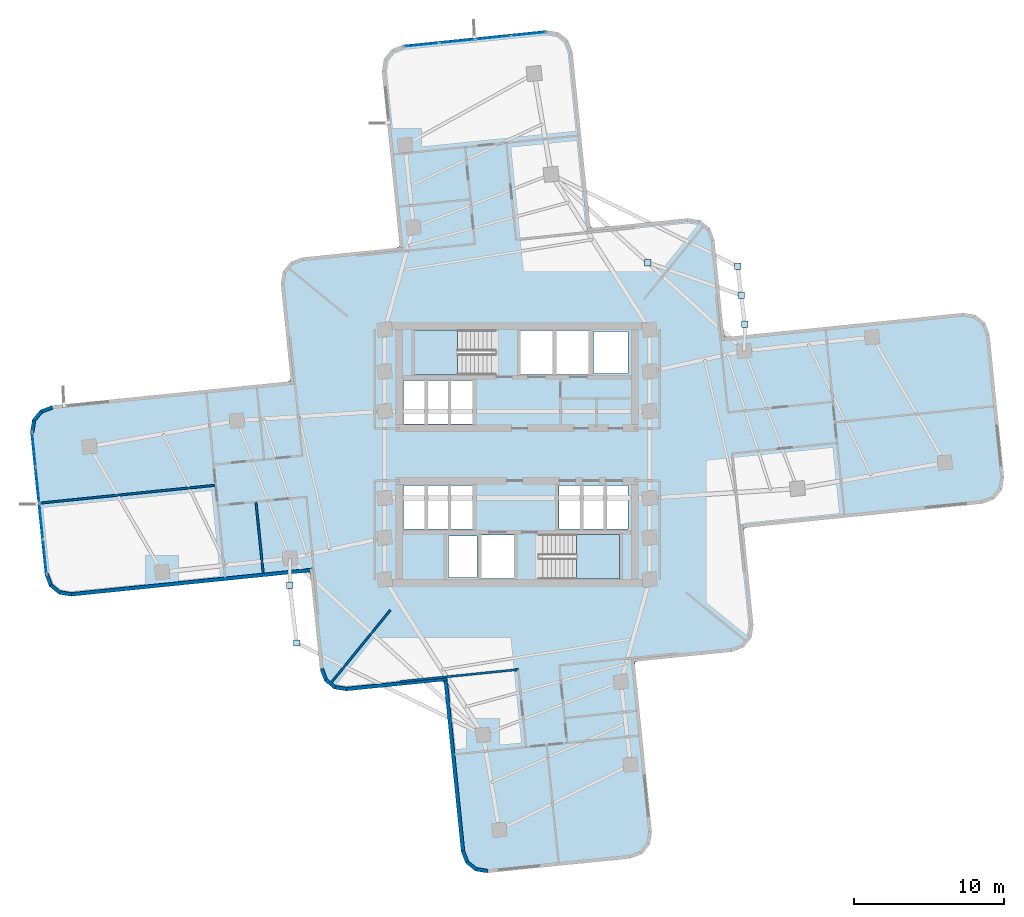
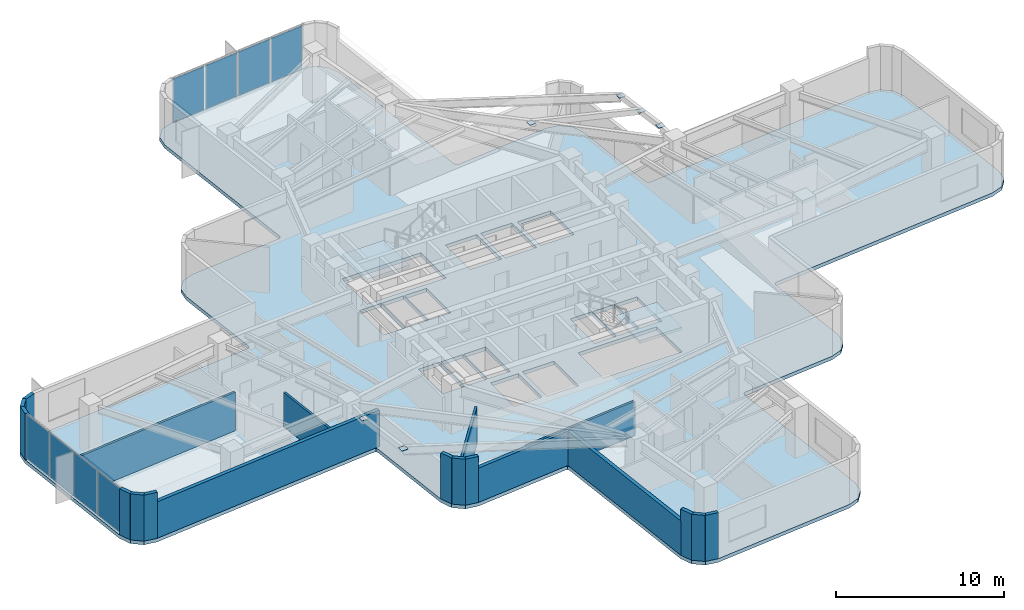
# One storey, part 5 of 12: 19 walls, 14 plates, 3 slabs, 4 elements without a shape of their own.
"""IFC4 building model written with IfcOpenShell, lengths in metres."""

from ifc_helpers import new_model, si_unit, direction, frame, frame_2d, origin, origin_2d, place, context, subcontext, project, spatial, polyline, rectangle, outline, extrude, material, layer, layer_set, type_object, element, aggregate, save


model = new_model("IFC4")

# Units and contexts
model_context = context("Model", 3, precision=1e-05, world=origin(), true_north=direction((0.0, 1.0)))
body_context = subcontext(model_context, "Body", "Model", "MODEL_VIEW")
ifc_project = project(units=[si_unit("LENGTHUNIT", "METRE"), si_unit("AREAUNIT", "SQUARE_METRE"), si_unit("VOLUMEUNIT", "CUBIC_METRE"), si_unit("PLANEANGLEUNIT", "RADIAN"), si_unit("MASSUNIT", "GRAM", prefix="KILO")], contexts=[model_context])

# Site, building, storey
site_placement = place(None, origin())
site = spatial("IfcSite", under=ifc_project, at=site_placement, CompositionType="ELEMENT")
building_placement = place(site_placement, origin())
building = spatial("IfcBuilding", under=site, at=building_placement, Name="Solmarez Civic Tower", CompositionType="ELEMENT")
storey_placement = place(building_placement, frame((0.0, 0.0, 74.8798828125)))
storey = spatial("IfcBuildingStorey", under=building, at=storey_placement, Name="L19", CompositionType="ELEMENT", Elevation=74.8798828125)

# Curtain wall, plates
ifc_material_1 = material(Name="Bronze Anodised Aluminium EN AW-6063 T6", Category="aluminium")
ifc_layer_1 = layer(ifc_material_1, 0.199951171875)
ifc_layer_set_1 = layer_set([ifc_layer_1], Name="Bronze Anodised Aluminium EN AW-6063 T6")
curtain_wall_type = type_object("IfcCurtainWallType", Name="CW-SYS-1", PredefinedType="NOTDEFINED", material=ifc_layer_set_1)
curtain_wall_1_placement = place(storey_placement, origin())
curtain_wall_1 = element("IfcCurtainWall", 1, at=curtain_wall_1_placement, inside=storey, type_object=curtain_wall_type, Name="L19 Stick-Built Curtain Wall 1", PredefinedType="NOTDEFINED")
ifc_material_2 = material(Name="Solar Control Low-E Laminated Vision Glass", Category="glass")
ifc_layer_2 = layer(ifc_material_2, 0.028076171875)
ifc_layer_set_2 = layer_set([ifc_layer_2], Name="Solar Control Low-E Laminated Vision Glass")
plate_type_1 = type_object("IfcPlateType", Name="CWP-GLAZ-28", PredefinedType="CURTAIN_PANEL", material=ifc_layer_set_2)
plate_1_placement = place(storey_placement, frame((-31.552490234375, -6.81201171875, 0.0703125), z_axis=(0.0, 0.0, 1.0), x_axis=(-0.101150430699, 0.994871142596, 0.0)))
plate_1 = element("IfcPlate", 2, at=plate_1_placement, type_object=plate_type_1, Name="CWS1 panel 1.1", PredefinedType="CURTAIN_PANEL", context=body_context, shape_type="SweptSolid", body=[
    extrude(rectangle(XDim=2.292236328125, YDim=0.028076171875, at=origin_2d()), origin(), (0.0, 0.0, 1.0), 3.199951171875),
])
plate_2_placement = place(storey_placement, frame((-31.7939453125, -4.438232421875, 0.0703125), z_axis=(0.0, 0.0, 1.0), x_axis=(-0.101150430699, 0.994871142596, 0.0)))
plate_2 = element("IfcPlate", 3, at=plate_2_placement, type_object=plate_type_1, Name="CWS1 panel 2.1", PredefinedType="CURTAIN_PANEL", context=body_context, shape_type="SweptSolid", body=[
    extrude(rectangle(XDim=2.329833984375, YDim=0.028076171875, at=origin_2d()), origin(), (0.0, 0.0, 1.0), 3.199951171875),
])
plate_3_placement = place(storey_placement, frame((-32.037109375, -2.045654296875, 0.0703125), z_axis=(0.0, 0.0, 1.0), x_axis=(-0.101150430699, 0.994871142596, 0.0)))
plate_3 = element("IfcPlate", 4, at=plate_3_placement, type_object=plate_type_1, Name="CWS1 panel 3.1", PredefinedType="CURTAIN_PANEL", context=body_context, shape_type="SweptSolid", body=[
    extrude(rectangle(XDim=2.329833984375, YDim=0.028076171875, at=origin_2d()), origin(), (0.0, 0.0, 1.0), 3.199951171875),
])
plate_4_placement = place(storey_placement, frame((-32.278564453125, 0.328125, 0.0703125), z_axis=(0.0, 0.0, 1.0), x_axis=(-0.101150430699, 0.994871142596, 0.0)))
plate_4 = element("IfcPlate", 5, at=plate_4_placement, type_object=plate_type_1, Name="CWS1 panel 4.1", PredefinedType="CURTAIN_PANEL", context=body_context, shape_type="SweptSolid", body=[
    extrude(rectangle(XDim=2.292236328125, YDim=0.028076171875, at=origin_2d()), origin(), (0.0, 0.0, 1.0), 3.199951171875),
])
aggregate(curtain_wall_1, [plate_1, plate_2, plate_3, plate_4])

curtain_wall_2_placement = place(storey_placement, origin())
curtain_wall_2 = element("IfcCurtainWall", 6, at=curtain_wall_2_placement, inside=storey, type_object=curtain_wall_type, Name="L19 Stick-Built Curtain Wall 2", PredefinedType="NOTDEFINED")
plate_5_placement = place(storey_placement, frame((-6.38720703125, 27.37451171875, 0.0703125), z_axis=(0.0, 0.0, 1.0), x_axis=(0.994870078801, 0.101160893168, 0.0)))
plate_5 = element("IfcPlate", 7, at=plate_5_placement, type_object=plate_type_1, Name="CWS1 panel 1.1", PredefinedType="CURTAIN_PANEL", context=body_context, shape_type="SweptSolid", body=[
    extrude(rectangle(XDim=2.2919921875, YDim=0.028076171875, at=origin_2d()), origin(), (0.0, 0.0, 1.0), 3.199951171875),
])
plate_6_placement = place(storey_placement, frame((-4.013671875, 27.615966796875, 0.0703125), z_axis=(0.0, 0.0, 1.0), x_axis=(0.994870078801, 0.101160893168, 0.0)))
plate_6 = element("IfcPlate", 8, at=plate_6_placement, type_object=plate_type_1, Name="CWS1 panel 2.1", PredefinedType="CURTAIN_PANEL", context=body_context, shape_type="SweptSolid", body=[
    extrude(rectangle(XDim=2.32958984375, YDim=0.028076171875, at=origin_2d()), origin(), (0.0, 0.0, 1.0), 3.199951171875),
])
plate_7_placement = place(storey_placement, frame((-1.621337890625, 27.859130859375, 0.0703125), z_axis=(0.0, 0.0, 1.0), x_axis=(0.994870078801, 0.101160893168, 0.0)))
plate_7 = element("IfcPlate", 9, at=plate_7_placement, type_object=plate_type_1, Name="CWS1 panel 3.1", PredefinedType="CURTAIN_PANEL", context=body_context, shape_type="SweptSolid", body=[
    extrude(rectangle(XDim=2.32958984375, YDim=0.028076171875, at=origin_2d()), origin(), (0.0, 0.0, 1.0), 3.199951171875),
])
plate_8_placement = place(storey_placement, frame((0.752197265625, 28.1005859375, 0.0703125), z_axis=(0.0, 0.0, 1.0), x_axis=(0.994870078801, 0.101160893168, 0.0)))
plate_8 = element("IfcPlate", 10, at=plate_8_placement, type_object=plate_type_1, Name="CWS1 panel 4.1", PredefinedType="CURTAIN_PANEL", context=body_context, shape_type="SweptSolid", body=[
    extrude(rectangle(XDim=2.2919921875, YDim=0.028076171875, at=origin_2d()), origin(), (0.0, 0.0, 1.0), 3.199951171875),
])
aggregate(curtain_wall_2, [plate_5, plate_6, plate_7, plate_8])

# Plates
ifc_material_3 = material(Name="Steel S355", Category="steel")
ifc_layer_3 = layer(ifc_material_3, 0.02392578125)
ifc_layer_set_3 = layer_set([ifc_layer_3], Name="Steel S355")
plate_type_2 = type_object("IfcPlateType", Name="PLT-CAP-380", PredefinedType="USERDEFINED", material=ifc_layer_set_3)
for number, where, z_axis, x_axis, name in (
    (11, (15.200927734375, 8.718017578125, 3.128173828125), (0.0, 0.0, 1.0), (1.0, 0.0, 0.0), "Steel Member End Cap Plate CAP-BM-L19-BALC-NEE-0"),
    (12, (14.72607421875, 12.587890625, 3.128173828125), (0.0, 0.0, 1.0), (1.0, 0.0, 0.0), "Steel Member End Cap Plate CAP-BM-L19-BALC-NEE-1"),
    (13, (8.722900390625, 12.824951171875, 3.128173828125), (0.0, 0.0, 1.0), (1.0, 0.0, 0.0), "Steel Member End Cap Plate CAP-BM-L19-BALC-NEM-0"),
    (14, (14.962890625, 10.653076171875, 3.128173828125), (0.0, 0.0, 1.0), (1.0, 0.0, 0.0), "Steel Member End Cap Plate CAP-BM-L19-BALC-NEM-1"),
    (15, (-15.200927734375, -8.718017578125, 3.128173828125), (0.0, 0.0, 1.0), (1.0, 0.0, 0.0), "Steel Member End Cap Plate CAP-BM-L19-BALC-SWE-0"),
    (16, (-14.72607421875, -12.587890625, 3.128173828125), (0.0, 0.0, 1.0), (1.0, 0.0, 0.0), "Steel Member End Cap Plate CAP-BM-L19-BALC-SWE-1"),
):
    element("IfcPlate", number, at=place(storey_placement, frame(where, z_axis=z_axis, x_axis=x_axis)), inside=storey, type_object=plate_type_2, Name=name, ObjectType="CAP_PLATE", PredefinedType="USERDEFINED", context=body_context, shape_type="SweptSolid", body=[
        extrude(rectangle(XDim=0.419921875, YDim=0.419921875, at=origin_2d()), origin(), (0.0, 0.0, 1.0), 0.02392578125),
    ])

# Stair, slab
ifc_material_4 = material(Name="Concrete C50/60", Category="concrete")
stair_type = type_object("IfcStairType", Name="STAIR-DOGLEG-140W-20R-1800", PredefinedType="HALF_TURN_STAIR", material=ifc_material_4)
stair_1_placement = place(storey_placement, origin())
stair_1 = element("IfcStair", 17, at=stair_1_placement, inside=storey, type_object=stair_type, Name="L19 North Core Protected Exit Stair ST-1", PredefinedType="HALF_TURN_STAIR")
ifc_layer_4 = layer(ifc_material_4, 0.199951171875)
ifc_layer_set_4 = layer_set([ifc_layer_4], Name="Concrete C50/60")
slab_type_1 = type_object("IfcSlabType", Name="SLAB-LANDING-200", PredefinedType="LANDING", material=ifc_layer_set_4)
slab_1_placement = place(storey_placement, frame((0.0, 0.0, 1.60009765625)))
slab_1 = element("IfcSlab", 18, at=slab_1_placement, type_object=slab_type_1, Name="ST-1 landing 1", PredefinedType="LANDING", context=body_context, shape_type="SweptSolid", body=[
    extrude(outline(polyline([(-3.969970703125, 8.320068359375), (-6.85009765625, 8.320068359375), (-6.85009765625, 5.320068359375), (-3.969970703125, 5.320068359375), (-3.969970703125, 8.320068359375)])), origin(), (0.0, 0.0, 1.0), 0.199951171875),
])
aggregate(stair_1, [slab_1])

stair_2_placement = place(storey_placement, origin())
stair_2 = element("IfcStair", 19, at=stair_2_placement, inside=storey, type_object=stair_type, Name="L19 South Core Protected Exit Stair ST-2", PredefinedType="HALF_TURN_STAIR")
slab_2_placement = place(storey_placement, frame((0.0, 0.0, 1.60009765625)))
slab_2 = element("IfcSlab", 20, at=slab_2_placement, type_object=slab_type_1, Name="ST-2 landing 1", PredefinedType="LANDING", context=body_context, shape_type="SweptSolid", body=[
    extrude(outline(polyline([(3.969970703125, -8.320068359375), (6.85009765625, -8.320068359375), (6.85009765625, -5.320068359375), (3.969970703125, -5.320068359375), (3.969970703125, -8.320068359375)])), origin(), (0.0, 0.0, 1.0), 0.199951171875),
])
aggregate(stair_2, [slab_2])

# Slab
ifc_layer_5 = layer(ifc_material_4, 0.260009765625)
ifc_layer_set_5 = layer_set([ifc_layer_5], Name="Concrete C50/60")
slab_type_2 = type_object("IfcSlabType", Name="SLAB-TOWER-260", PredefinedType="FLOOR", material=ifc_layer_set_5)
slab_3_placement = place(storey_placement, frame((0.0, 0.0, -0.259765625)))
element("IfcSlab", 21, at=slab_3_placement, inside=storey, type_object=slab_type_2, Name="L19 Structural Slab", PredefinedType="FLOOR", context=body_context, shape_type="SweptSolid", body=[
    extrude(outline(polyline([(-13.806884765625, -8.047119140625), (-13.1669921875, -14.35400390625), (-12.873046875, -15.1279296875), (-12.23095703125, -15.652099609375), (-11.4130859375, -15.783935546875), (-5.10595703125, -15.14404296875), (-4.93701171875, -15.1708984375), (-4.8759765625, -15.33203125), (-3.739990234375, -26.513916015625), (-3.446044921875, -27.2880859375), (-2.803955078125, -27.81103515625), (-1.986083984375, -27.944091796875), (7.56494140625, -26.97412109375), (8.339111328125, -26.679931640625), (8.862060546875, -26.0380859375), (8.9951171875, -25.219970703125), (7.85888671875, -14.0380859375), (7.885986328125, -13.868896484375), (8.047119140625, -13.806884765625), (14.35400390625, -13.1669921875), (15.1279296875, -12.873046875), (15.652099609375, -12.23095703125), (15.783935546875, -11.4130859375), (15.14404296875, -5.10595703125), (15.1708984375, -4.93701171875), (15.33203125, -4.8759765625), (31.090087890625, -3.27490234375), (31.864013671875, -2.98095703125), (32.387939453125, -2.339111328125), (32.52001953125, -1.52099609375), (31.550048828125, 8.029052734375), (31.256103515625, 8.803955078125), (30.614013671875, 9.326904296875), (29.797119140625, 9.4599609375), (14.0380859375, 7.85888671875), (13.868896484375, 7.885986328125), (13.806884765625, 8.047119140625), (13.1669921875, 14.35400390625), (12.873046875, 15.1279296875), (12.23095703125, 15.652099609375), (11.4130859375, 15.783935546875), (5.10595703125, 15.14404296875), (4.93701171875, 15.1708984375), (4.8759765625, 15.33203125), (3.698974609375, 26.912109375), (3.405029296875, 27.68603515625), (2.762939453125, 28.208984375), (1.946044921875, 28.342041015625), (-7.60498046875, 27.3720703125), (-8.37890625, 27.076904296875), (-8.903076171875, 26.43603515625), (-9.034912109375, 25.617919921875), (-7.85888671875, 14.0380859375), (-7.885986328125, 13.868896484375), (-8.047119140625, 13.806884765625), (-14.35400390625, 13.1669921875), (-15.1279296875, 12.873046875), (-15.652099609375, 12.23095703125), (-15.783935546875, 11.4130859375), (-15.14404296875, 5.10595703125), (-15.1708984375, 4.93701171875), (-15.33203125, 4.8759765625), (-31.090087890625, 3.27490234375), (-31.864013671875, 2.98095703125), (-32.387939453125, 2.339111328125), (-32.52001953125, 1.52099609375), (-31.550048828125, -8.029052734375), (-31.256103515625, -8.803955078125), (-30.614013671875, -9.326904296875), (-29.797119140625, -9.4599609375), (-14.0380859375, -7.85888671875), (-13.868896484375, -7.885986328125), (-13.806884765625, -8.047119140625)]), holes=[polyline([(-1.449951171875, 8.320068359375), (-6.85009765625, 8.320068359375), (-6.85009765625, 5.320068359375), (-1.449951171875, 5.320068359375), (-1.449951171875, 8.320068359375)]), polyline([(1.449951171875, -8.320068359375), (6.85009765625, -8.320068359375), (6.85009765625, -5.320068359375), (1.449951171875, -5.320068359375), (1.449951171875, -8.320068359375)]), polyline([(0.219970703125, 5.360107421875), (2.3798828125, 5.360107421875), (2.3798828125, 8.280029296875), (0.219970703125, 8.280029296875), (0.219970703125, 5.360107421875)]), polyline([(2.6201171875, 5.360107421875), (4.780029296875, 5.360107421875), (4.780029296875, 8.280029296875), (2.6201171875, 8.280029296875), (2.6201171875, 5.360107421875)]), polyline([(-2.3798828125, -8.280029296875), (-0.219970703125, -8.280029296875), (-0.219970703125, -5.360107421875), (-2.3798828125, -5.360107421875), (-2.3798828125, -8.280029296875)]), polyline([(2.800048828125, -4.9599609375), (4.280029296875, -4.9599609375), (4.280029296875, -2.06005859375), (2.800048828125, -2.06005859375), (2.800048828125, -4.9599609375)]), polyline([(4.360107421875, -4.9599609375), (5.840087890625, -4.9599609375), (5.840087890625, -2.06005859375), (4.360107421875, -2.06005859375), (4.360107421875, -4.9599609375)]), polyline([(5.919921875, -4.9599609375), (7.39990234375, -4.9599609375), (7.39990234375, -2.06005859375), (5.919921875, -2.06005859375), (5.919921875, -4.9599609375)]), polyline([(-7.60009765625, -4.9599609375), (-6.1201171875, -4.9599609375), (-6.1201171875, -2.06005859375), (-7.60009765625, -2.06005859375), (-7.60009765625, -4.9599609375)]), polyline([(-6.0400390625, -4.9599609375), (-4.56005859375, -4.9599609375), (-4.56005859375, -2.06005859375), (-6.0400390625, -2.06005859375), (-6.0400390625, -4.9599609375)]), polyline([(-4.47998046875, -4.9599609375), (-3.0, -4.9599609375), (-3.0, -2.06005859375), (-4.47998046875, -2.06005859375), (-4.47998046875, -4.9599609375)]), polyline([(-7.60009765625, 2.06005859375), (-6.1201171875, 2.06005859375), (-6.1201171875, 4.9599609375), (-7.60009765625, 4.9599609375), (-7.60009765625, 2.06005859375)]), polyline([(-6.0400390625, 2.06005859375), (-4.56005859375, 2.06005859375), (-4.56005859375, 4.9599609375), (-6.0400390625, 4.9599609375), (-6.0400390625, 2.06005859375)]), polyline([(-4.47998046875, 2.06005859375), (-3.0, 2.06005859375), (-3.0, 4.9599609375), (-4.47998046875, 4.9599609375), (-4.47998046875, 2.06005859375)]), polyline([(5.10009765625, 5.419921875), (7.39990234375, 5.419921875), (7.39990234375, 8.219970703125), (5.10009765625, 8.219970703125), (5.10009765625, 5.419921875)]), polyline([(-4.60009765625, -8.219970703125), (-2.699951171875, -8.219970703125), (-2.699951171875, -5.419921875), (-4.60009765625, -5.419921875), (-4.60009765625, -8.219970703125)])]), origin(), (0.0, 0.0, 1.0), 0.259765625),
])

# Walls
ifc_material_5 = material(Name="Precast concrete C40/50", Category="concrete")
ifc_layer_6 = layer(ifc_material_5, 0.239990234375)
ifc_layer_set_6 = layer_set([ifc_layer_6], Name="Precast concrete C40/50")
wall_type_1 = type_object("IfcWallType", Name="WALL-EXT-240", PredefinedType="SOLIDWALL", material=ifc_layer_set_6)
wall_1_placement = place(storey_placement, frame((-13.6259765625, -7.696044921875, 0.0), z_axis=(0.0, 0.0, 1.0), x_axis=(-0.994872930989, -0.101132839298, 0.0)))
element("IfcWall", 22, at=wall_1_placement, inside=storey, type_object=wall_type_1, Name="L19 Exterior Precast Wall 2", PredefinedType="SOLIDWALL", context=body_context, shape_type="SweptSolid", body=[
    extrude(rectangle(XDim=16.275634765625, YDim=0.239990234375, at=frame_2d((8.1376953125, 0.0))), origin(), (0.0, 0.0, 1.0), 2.64404296875),
])
wall_2_placement = place(storey_placement, frame((-29.76806640625, -9.343017578125, 0.0), z_axis=(0.0, 0.0, 1.0), x_axis=(-0.987084128833, 0.160202754679, 0.0)))
element("IfcWall", 23, at=wall_2_placement, inside=storey, type_object=wall_type_1, Name="L19 Exterior Precast Wall 3", PredefinedType="SOLIDWALL", context=body_context, shape_type="SweptSolid", body=[
    extrude(rectangle(XDim=0.83056640625, YDim=0.239990234375, at=frame_2d((0.415283203125, 0.0))), origin(), (0.0, 0.0, 1.0), 3.340087890625),
])
wall_3_placement = place(storey_placement, frame((-30.5439453125, -9.22998046875, 0.0), z_axis=(0.0, 0.0, 1.0), x_axis=(-0.774358164226, 0.632747527452, 0.0)))
element("IfcWall", 24, at=wall_3_placement, inside=storey, type_object=wall_type_1, Name="L19 Exterior Precast Wall 4", PredefinedType="SOLIDWALL", context=body_context, shape_type="SweptSolid", body=[
    extrude(rectangle(XDim=0.813720703125, YDim=0.239990234375, at=frame_2d((0.40673828125, 0.0))), origin(), (0.0, 0.0, 1.0), 3.340087890625),
])
wall_4_placement = place(storey_placement, frame((-31.14599609375, -8.75390625, 0.0), z_axis=(0.0, 0.0, 1.0), x_axis=(-0.355701438235, 0.934599639866, 0.0)))
element("IfcWall", 25, at=wall_4_placement, inside=storey, type_object=wall_type_1, Name="L19 Exterior Precast Wall 5", PredefinedType="SOLIDWALL", context=body_context, shape_type="SweptSolid", body=[
    extrude(rectangle(XDim=0.8291015625, YDim=0.239990234375, at=frame_2d((0.41455078125, 0.0))), origin(), (0.0, 0.0, 1.0), 3.340087890625),
])
wall_5_placement = place(storey_placement, frame((-32.403076171875, 1.492919921875, 0.0), z_axis=(0.0, 0.0, 1.0), x_axis=(0.160156284613, 0.987091669755, 0.0)))
element("IfcWall", 26, at=wall_5_placement, inside=storey, type_object=wall_type_1, Name="L19 Exterior Precast Wall 7", PredefinedType="SOLIDWALL", context=body_context, shape_type="SweptSolid", body=[
    extrude(rectangle(XDim=0.830810546875, YDim=0.239990234375, at=frame_2d((0.41552734375, 0.0))), origin(), (0.0, 0.0, 1.0), 3.340087890625),
])
wall_6_placement = place(storey_placement, frame((-32.2900390625, 2.26904296875, 0.0), z_axis=(0.0, 0.0, 1.0), x_axis=(0.632354425822, 0.774679211121, 0.0)))
element("IfcWall", 27, at=wall_6_placement, inside=storey, type_object=wall_type_1, Name="L19 Exterior Precast Wall 8", PredefinedType="SOLIDWALL", context=body_context, shape_type="SweptSolid", body=[
    extrude(rectangle(XDim=0.81298828125, YDim=0.239990234375, at=frame_2d((0.406494140625, 0.0))), origin(), (0.0, 0.0, 1.0), 3.340087890625),
])
wall_7_placement = place(storey_placement, frame((-31.81494140625, 2.87109375, 0.0), z_axis=(0.0, 0.0, 1.0), x_axis=(0.934748415991, 0.355310285248, 0.0)))
element("IfcWall", 28, at=wall_7_placement, inside=storey, type_object=wall_type_1, Name="L19 Exterior Precast Wall 9", PredefinedType="SOLIDWALL", context=body_context, shape_type="SweptSolid", body=[
    extrude(rectangle(XDim=0.830078125, YDim=0.239990234375, at=frame_2d((0.4150390625, 0.0))), origin(), (0.0, 0.0, 1.0), 3.340087890625),
])
wall_8_placement = place(storey_placement, frame((-1.9580078125, -27.826904296875, 0.0), z_axis=(0.0, 0.0, 1.0), x_axis=(-0.987138087172, 0.159869937309, 0.0)))
element("IfcWall", 29, at=wall_8_placement, inside=storey, type_object=wall_type_1, Name="L19 Exterior Precast Wall 61", PredefinedType="SOLIDWALL", context=body_context, shape_type="SweptSolid", body=[
    extrude(rectangle(XDim=0.830810546875, YDim=0.239990234375, at=frame_2d((0.41552734375, 0.0))), origin(), (0.0, 0.0, 1.0), 3.340087890625),
])
wall_9_placement = place(storey_placement, frame((-2.73388671875, -27.714111328125, 0.0), z_axis=(0.0, 0.0, 1.0), x_axis=(-0.774211168236, 0.632927378914, 0.0)))
element("IfcWall", 30, at=wall_9_placement, inside=storey, type_object=wall_type_1, Name="L19 Exterior Precast Wall 62", PredefinedType="SOLIDWALL", context=body_context, shape_type="SweptSolid", body=[
    extrude(rectangle(XDim=0.81396484375, YDim=0.239990234375, at=frame_2d((0.406982421875, 0.0))), origin(), (0.0, 0.0, 1.0), 3.340087890625),
])
wall_10_placement = place(storey_placement, frame((-3.3359375, -27.238037109375, 0.0), z_axis=(0.0, 0.0, 1.0), x_axis=(-0.355860683833, 0.934539016683, 0.0)))
element("IfcWall", 31, at=wall_10_placement, inside=storey, type_object=wall_type_1, Name="L19 Exterior Precast Wall 63", PredefinedType="SOLIDWALL", context=body_context, shape_type="SweptSolid", body=[
    extrude(rectangle(XDim=0.829345703125, YDim=0.239990234375, at=frame_2d((0.41455078125, 0.0))), origin(), (0.0, 0.0, 1.0), 3.340087890625),
])
wall_11_placement = place(storey_placement, frame((-3.618896484375, -26.510986328125, 0.0), z_axis=(0.0, 0.0, 1.0), x_axis=(-0.101161877239, 0.994869978738, 0.0)))
element("IfcWall", 32, at=wall_11_placement, inside=storey, type_object=wall_type_1, Name="L19 Exterior Precast Wall 64", PredefinedType="SOLIDWALL", context=body_context, shape_type="SweptSolid", body=[
    extrude(rectangle(XDim=11.67578125, YDim=0.239990234375, at=frame_2d((5.837890625, 0.0))), origin(), (0.0, 0.0, 1.0), 2.486083984375),
])
wall_12_placement = place(storey_placement, frame((-4.694091796875, -14.98095703125, 0.0), z_axis=(0.0, 0.0, 1.0), x_axis=(-0.994875719665, -0.101105402534, 0.0)))
element("IfcWall", 33, at=wall_12_placement, inside=storey, type_object=wall_type_1, Name="L19 Exterior Precast Wall 67", PredefinedType="SOLIDWALL", context=body_context, shape_type="SweptSolid", body=[
    extrude(rectangle(XDim=6.775634765625, YDim=0.239990234375, at=frame_2d((3.3876953125, 0.0))), origin(), (0.0, 0.0, 1.0), 2.486083984375),
])
wall_13_placement = place(storey_placement, frame((-11.385009765625, -15.6669921875, 0.0), z_axis=(0.0, 0.0, 1.0), x_axis=(-0.987091669755, 0.160156284613, 0.0)))
element("IfcWall", 34, at=wall_13_placement, inside=storey, type_object=wall_type_1, Name="L19 Exterior Precast Wall 68", PredefinedType="SOLIDWALL", context=body_context, shape_type="SweptSolid", body=[
    extrude(rectangle(XDim=0.830810546875, YDim=0.239990234375, at=frame_2d((0.41552734375, 0.0))), origin(), (0.0, 0.0, 1.0), 3.340087890625),
])
wall_14_placement = place(storey_placement, frame((-12.160888671875, -15.553955078125, 0.0), z_axis=(0.0, 0.0, 1.0), x_axis=(-0.774946287969, 0.632027096542, 0.0)))
element("IfcWall", 35, at=wall_14_placement, inside=storey, type_object=wall_type_1, Name="L19 Exterior Precast Wall 69", PredefinedType="SOLIDWALL", context=body_context, shape_type="SweptSolid", body=[
    extrude(rectangle(XDim=0.813232421875, YDim=0.239990234375, at=frame_2d((0.40673828125, 0.0))), origin(), (0.0, 0.0, 1.0), 3.340087890625),
])
wall_15_placement = place(storey_placement, frame((-12.762939453125, -15.0791015625, 0.0), z_axis=(0.0, 0.0, 1.0), x_axis=(-0.355469529522, 0.934687869602, 0.0)))
element("IfcWall", 36, at=wall_15_placement, inside=storey, type_object=wall_type_1, Name="L19 Exterior Precast Wall 70", PredefinedType="SOLIDWALL", context=body_context, shape_type="SweptSolid", body=[
    extrude(rectangle(XDim=0.830322265625, YDim=0.239990234375, at=frame_2d((0.4150390625, 0.0))), origin(), (0.0, 0.0, 1.0), 3.340087890625),
])
ifc_material_6 = material(Name="Gypsum Board Acoustic Steel-Stud Partition", Category="steel")
ifc_layer_7 = layer(ifc_material_6, 0.14501953125)
ifc_layer_set_7 = layer_set([ifc_layer_7], Name="Gypsum Board Acoustic Steel-Stud Partition")
wall_type_2 = type_object("IfcWallType", Name="WALL-INT-PART-150", PredefinedType="PARTITIONING", material=ifc_layer_set_7)
wall_16_placement = place(storey_placement, frame((-8.466064453125, -10.3798828125, 0.0), z_axis=(0.0, 0.0, 1.0), x_axis=(-0.631992375104, -0.774974604623, 0.0)))
element("IfcWall", 37, at=wall_16_placement, inside=storey, type_object=wall_type_2, Name="L19 Interior Partition PT-L19-QDIV-3", PredefinedType="PARTITIONING", context=body_context, shape_type="SweptSolid", body=[
    extrude(rectangle(XDim=6.259765625, YDim=0.14501953125, at=frame_2d((3.1298828125, 0.0))), origin(), (0.0, 0.0, 1.0), 2.64404296875),
])
wall_17_placement = place(storey_placement, frame((-17.447998046875, -3.179931640625, 0.0), z_axis=(0.0, 0.0, 1.0), x_axis=(0.101177373152, -0.994868402937, 0.0)))
element("IfcWall", 38, at=wall_17_placement, inside=storey, type_object=wall_type_2, Name="L19 Interior Partition PT-L19-W-LM", PredefinedType="PARTITIONING", context=body_context, shape_type="SweptSolid", body=[
    extrude(rectangle(XDim=4.794677734375, YDim=0.14501953125, at=frame_2d((2.3974609375, 0.0))), origin(), (0.0, 0.0, 1.0), 2.486083984375),
])
wall_18_placement = place(storey_placement, frame((-20.196044921875, -2.051025390625, 0.0), z_axis=(0.0, 0.0, 1.0), x_axis=(-0.994871935232, -0.101142634371, 0.0)))
element("IfcWall", 39, at=wall_18_placement, inside=storey, type_object=wall_type_2, Name="L19 Interior Partition PT-L19-W-TM", PredefinedType="PARTITIONING", context=body_context, shape_type="SweptSolid", body=[
    extrude(rectangle(XDim=11.695068359375, YDim=0.14501953125, at=frame_2d((5.84765625, 0.0))), origin(), (0.0, 0.0, 1.0), 2.793212890625),
])
wall_19_placement = place(storey_placement, frame((-7.827880859375, -15.158935546875, 0.0), z_axis=(0.0, 0.0, 1.0), x_axis=(0.994873184944, 0.101130341041, 0.0)))
element("IfcWall", 40, at=wall_19_placement, inside=storey, type_object=wall_type_2, Name="L19 Interior Partition PT-L19-S-EFR", PredefinedType="PARTITIONING", context=body_context, shape_type="SweptSolid", body=[
    extrude(rectangle(XDim=7.94970703125, YDim=0.14501953125, at=frame_2d((3.974853515625, 0.0))), origin(), (0.0, 0.0, 1.0), 2.486083984375),
])

save(model, "model.ifc")
